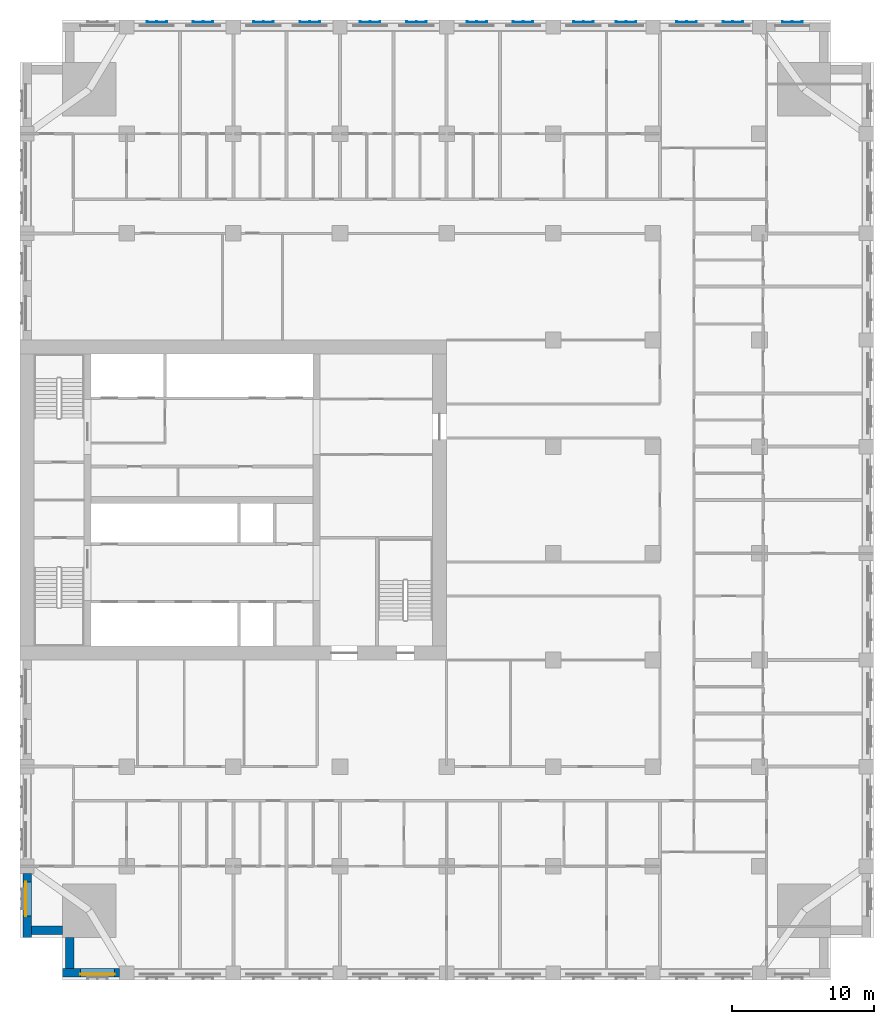
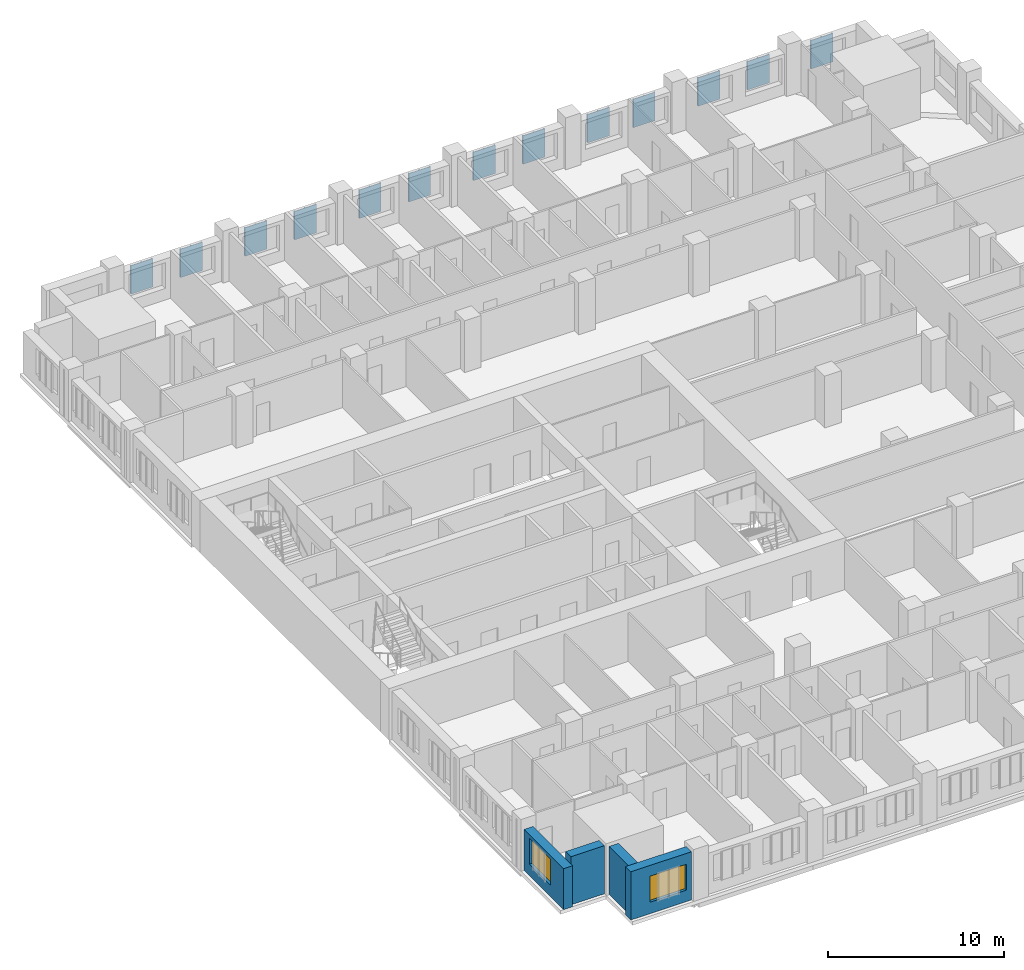
# One storey, part 3 of 15: 13 plates, 4 walls, 2 windows, 2 openings.
"""IFC4 building model written with IfcOpenShell, lengths in metres."""

import ifcopenshell
import ifcopenshell.guid

model = None  # the IFC model being written
_history = None  # IfcOwnerHistory: only IFC2X3 demands one
_inside = {}  # id of a spatial element -> (the spatial element, [elements in it])
_under = {}  # id of a project, library or spatial element -> (it, [spatial elements below it])
_declared = {}  # id of a project -> (the project, [libraries it declares])
_typed = {}  # id of a type object -> (the type object, [elements of that type])
_made_of = {}  # id of a material, layer set ... -> (it, [elements and type objects made of it])


def new_model(schema):
    """Start an empty IFC model of exactly this schema.

    Asked for "IFC4X3", IfcOpenShell would pick the latest addendum, in which some entities
    have other attributes; the version numbers below select the first issue.
    IFC2X3 requires an IfcOwnerHistory on every rooted entity: one is made here for all.
    """
    global model, _history
    if schema == "IFC4X3":
        model = ifcopenshell.file(schema_version=(4, 3, 0, 0))
    else:
        model = ifcopenshell.file(schema=schema)
    _inside.clear()
    _under.clear()
    _declared.clear()
    _typed.clear()
    _made_of.clear()
    _history = None
    if model.schema == "IFC2X3":
        org = make("IfcOrganization", Name="unknown")
        user = make(
            "IfcPersonAndOrganization",
            ThePerson=make("IfcPerson", FamilyName="unknown"),
            TheOrganization=org,
        )
        app = make(
            "IfcApplication",
            ApplicationDeveloper=org,
            Version="unknown",
            ApplicationFullName="unknown",
            ApplicationIdentifier="unknown",
        )
        _history = make(
            "IfcOwnerHistory",
            OwningUser=user,
            OwningApplication=app,
            ChangeAction="ADDED",
            CreationDate=0,
        )
    return model


def make(cls, **values):
    """One entity of the class cls with the attributes given. An attribute that is None is left unset."""
    return model.create_entity(
        cls, **{name: value for name, value in values.items() if value is not None}
    )


def rooted(cls, **values):
    """An entity with a GlobalId (a new one), such as an element, a storey or a relation."""
    return make(cls, GlobalId=ifcopenshell.guid.new(), OwnerHistory=_history, **values)


def si_unit(unit_type, name, prefix=None):
    """IfcSIUnit, for example si_unit("LENGTHUNIT", "METRE", prefix="MILLI")."""
    return make("IfcSIUnit", UnitType=unit_type, Prefix=prefix, Name=name)


def assignment(units):
    """IfcUnitAssignment: the units of a project."""
    return None if units is None else make("IfcUnitAssignment", Units=units)


def point(xyz):
    """IfcCartesianPoint."""
    return None if xyz is None else make("IfcCartesianPoint", Coordinates=xyz)


def direction(xyz):
    """IfcDirection."""
    return None if xyz is None else make("IfcDirection", DirectionRatios=xyz)


def frame(location, z_axis=None, x_axis=None):
    """IfcAxis2Placement3D, a coordinate frame: its origin and axes. An axis left out is left unset."""
    return make(
        "IfcAxis2Placement3D",
        Location=point(location),
        Axis=direction(z_axis),
        RefDirection=direction(x_axis),
    )


def frame_2d(location, x_axis=None):
    """IfcAxis2Placement2D, a coordinate frame in the plane: its origin and x axis."""
    return make(
        "IfcAxis2Placement2D", Location=point(location), RefDirection=direction(x_axis)
    )


def origin():
    """The frame at (0, 0, 0) with its axes left unset."""
    return frame((0.0, 0.0, 0.0))


def place(relative_to, where):
    """IfcLocalPlacement: puts the frame where relative to a parent placement (None: the world)."""
    return make(
        "IfcLocalPlacement", PlacementRelTo=relative_to, RelativePlacement=where
    )


def context(
    kind, dimensions, precision=None, world=None, true_north=None, identifier=None
):
    """IfcGeometricRepresentationContext, for example the 3D "Model" context."""
    return make(
        "IfcGeometricRepresentationContext",
        ContextIdentifier=identifier,
        ContextType=kind,
        CoordinateSpaceDimension=dimensions,
        Precision=precision,
        WorldCoordinateSystem=world,
        TrueNorth=true_north,
    )


def subcontext(parent, identifier, kind, view, scale=None):
    """IfcGeometricRepresentationSubContext, for example "Body" below "Model"."""
    return make(
        "IfcGeometricRepresentationSubContext",
        ContextIdentifier=identifier,
        ContextType=kind,
        ParentContext=parent,
        TargetScale=scale,
        TargetView=view,
    )


def project(units=None, contexts=None):
    """IfcProject with its units and contexts."""
    return rooted(
        "IfcProject",
        Name="project",
        RepresentationContexts=contexts,
        UnitsInContext=assignment(units),
    )


def spatial(cls, under=None, at=None, **own):
    """A site, building, storey or space (cls), placed at a placement, below another one or the project."""
    s = rooted(cls, ObjectPlacement=at, **own)
    if under is not None:
        _under.setdefault(under.id(), (under, []))[1].append(s)
    return s


def polyline(points):
    """IfcPolyline through the points."""
    return make("IfcPolyline", Points=[point(p) for p in points])


def profile(cls, at=None, kind="AREA", **sizes):
    """A parametric profile (cls). Its sizes go by their IFC names, for example OverallWidth=200.0."""
    return make(cls, ProfileType=kind, Position=at, **sizes)


def rectangle(**sizes):
    """IfcRectangleProfileDef."""
    return profile("IfcRectangleProfileDef", **sizes)


def outline(outer, holes=None, kind="AREA"):
    """IfcArbitraryClosedProfileDef: a profile drawn as a closed curve; with holes, ...WithVoids."""
    if holes is None:
        return make("IfcArbitraryClosedProfileDef", ProfileType=kind, OuterCurve=outer)
    return make(
        "IfcArbitraryProfileDefWithVoids",
        ProfileType=kind,
        OuterCurve=outer,
        InnerCurves=holes,
    )


def extrude(swept, where, along, depth):
    """IfcExtrudedAreaSolid: the profile swept, set in the frame where, extruded along a direction by depth."""
    return make(
        "IfcExtrudedAreaSolid",
        SweptArea=swept,
        Position=where,
        ExtrudedDirection=direction(along),
        Depth=depth,
    )


def shape(context_of_items, identifier, shape_type, items):
    """IfcShapeRepresentation: the items that make up one representation, for example the "Body"."""
    return make(
        "IfcShapeRepresentation",
        ContextOfItems=context_of_items,
        RepresentationIdentifier=identifier,
        RepresentationType=shape_type,
        Items=items,
    )


def material(Name=None, Category=None):
    """IfcMaterial."""
    return make("IfcMaterial", Name=Name, Category=Category)


def layer(
    of_material, thickness, ventilated=None, Name=None, Category=None, Priority=None
):
    """IfcMaterialLayer: one layer of a wall or slab, of a material (None: an air gap)."""
    return make(
        "IfcMaterialLayer",
        Material=of_material,
        LayerThickness=thickness,
        IsVentilated=ventilated,
        Name=Name,
        Category=Category,
        Priority=Priority,
    )


def layer_set(layers, Name=None):
    """IfcMaterialLayerSet."""
    return make("IfcMaterialLayerSet", MaterialLayers=layers, LayerSetName=Name)


def made_of(thing, what):
    """Note that an element or type object is made of a material, layer set ...; save() writes the relation."""
    if what is not None:
        _made_of.setdefault(what.id(), (what, []))[1].append(thing)
    return thing


def type_object(cls, material=None, **own):
    """A type object (cls), such as IfcWallType, which elements share."""
    return made_of(rooted(cls, **own), material)


def element(
    cls,
    number,
    at=None,
    inside=None,
    cuts=None,
    type_object=None,
    material=None,
    context=None,
    identifier="Body",
    shape_type=None,
    held_by="IfcProductDefinitionShape",
    body=None,
    shapes=None,
    **own,
):
    """One element of the class cls, such as IfcWall. Its Tag is "e" and its number.

    at: its placement. inside: the storey or other place that contains it. cuts: it is an
    opening in that element (IfcRelVoidsElement). A single representation is given by context,
    identifier, shape_type and body (its items); several are given by shapes. held_by: the class
    of the entity that holds the representations. save() writes the other relations.
    """
    e = rooted(cls, Tag="e%d" % number, ObjectPlacement=at, **own)
    if body is not None:
        shapes = [shape(context, identifier, shape_type, body)]
    if shapes is not None:
        e.Representation = make(held_by, Representations=shapes)
    if inside is not None:
        _inside.setdefault(inside.id(), (inside, []))[1].append(e)
    if cuts is not None:
        rooted(
            "IfcRelVoidsElement", RelatingBuildingElement=cuts, RelatedOpeningElement=e
        )
    if type_object is not None:
        _typed.setdefault(type_object.id(), (type_object, []))[1].append(e)
    return made_of(e, material)


def fill(opening, filler):
    """IfcRelFillsElement: the door or window that sits in an opening."""
    return rooted(
        "IfcRelFillsElement",
        RelatingOpeningElement=opening,
        RelatedBuildingElement=filler,
    )


def aggregate(whole, parts):
    """IfcRelAggregates: a whole, such as a stair, and the parts it consists of."""
    return rooted("IfcRelAggregates", RelatingObject=whole, RelatedObjects=parts)


def save(model, path):
    """Write the relations noted so far, then the file.

    IfcRelAggregates (storeys below a building ...), IfcRelContainedInSpatialStructure (elements
    in a storey), IfcRelDefinesByType, IfcRelAssociatesMaterial and IfcRelDeclares: one each for
    every whole, place, type object, material and project.
    """
    for whole, parts in _under.values():
        aggregate(whole, parts)
    for where, things in _inside.values():
        rooted(
            "IfcRelContainedInSpatialStructure",
            RelatedElements=things,
            RelatingStructure=where,
        )
    for kind, things in _typed.values():
        rooted("IfcRelDefinesByType", RelatedObjects=things, RelatingType=kind)
    for what, things in _made_of.values():
        rooted("IfcRelAssociatesMaterial", RelatedObjects=things, RelatingMaterial=what)
    for by, libraries in _declared.values():
        rooted("IfcRelDeclares", RelatingContext=by, RelatedDefinitions=libraries)
    model.write(path)


model = new_model("IFC4")

# Units and contexts
model_context = context("Model", 3, precision=1e-05, world=origin(), true_north=direction((0.0, 1.0)))
body_context = subcontext(model_context, "Body", "Model", "MODEL_VIEW")
ifc_project = project(units=[si_unit("LENGTHUNIT", "METRE"), si_unit("AREAUNIT", "SQUARE_METRE"), si_unit("VOLUMEUNIT", "CUBIC_METRE"), si_unit("PLANEANGLEUNIT", "RADIAN"), si_unit("MASSUNIT", "GRAM", prefix="KILO")], contexts=[model_context])

# Site, building, storey
site_placement = place(None, origin())
site = spatial("IfcSite", under=ifc_project, at=site_placement, CompositionType="ELEMENT")
building_placement = place(site_placement, origin())
building = spatial("IfcBuilding", under=site, at=building_placement, Name="Tamorin Gate", CompositionType="ELEMENT")
storey_placement = place(building_placement, frame((0.0, 0.0, 82.699951171875)))
storey = spatial("IfcBuildingStorey", under=building, at=storey_placement, Name="L19", CompositionType="ELEMENT", Elevation=82.699951171875)

# Plates
ifc_material_1 = material(Name="Perforated pale aluminium sheet", Category="aluminium")
ifc_layer_1 = layer(ifc_material_1, 0.0400390625)
ifc_layer_set_1 = layer_set([ifc_layer_1], Name="Pale metal solar screen 1440")
plate_type = type_object("IfcPlateType", Name="Pale metal solar screen 1440", PredefinedType="SHEET", material=ifc_layer_set_1)
plate_1_placement = place(storey_placement, frame((0.0, 0.0, 0.7099609375)))
element("IfcPlate", 1, at=plate_1_placement, inside=storey, type_object=plate_type, Name="Perforated solar screen", PredefinedType="SHEET", context=body_context, shape_type="SweptSolid", body=[
    extrude(outline(polyline([(85.02001953125, 104.840087890625), (85.02001953125, 104.800048828125), (84.9599609375, 104.800048828125), (84.330078125, 104.800048828125), (84.27001953125, 104.800048828125), (83.639892578125, 104.800048828125), (83.580078125, 104.800048828125), (83.580078125, 104.840087890625), (83.580078125, 104.89990234375), (83.639892578125, 104.89990234375), (83.639892578125, 104.840087890625), (84.27001953125, 104.840087890625), (84.27001953125, 104.89990234375), (84.330078125, 104.89990234375), (84.330078125, 104.840087890625), (84.9599609375, 104.840087890625), (84.9599609375, 104.89990234375), (85.02001953125, 104.89990234375), (85.02001953125, 104.840087890625)])), origin(), (0.0, 0.0, 1.0), 1.97998046875),
])
plate_2_placement = place(storey_placement, frame((0.0, 0.0, 0.7099609375)))
element("IfcPlate", 2, at=plate_2_placement, inside=storey, type_object=plate_type, Name="Perforated solar screen", PredefinedType="SHEET", context=body_context, shape_type="SweptSolid", body=[
    extrude(outline(polyline([(77.594970703125, 104.840087890625), (77.594970703125, 104.800048828125), (77.534912109375, 104.800048828125), (76.905029296875, 104.800048828125), (76.844970703125, 104.800048828125), (76.215087890625, 104.800048828125), (76.155029296875, 104.800048828125), (76.155029296875, 104.840087890625), (76.155029296875, 104.89990234375), (76.215087890625, 104.89990234375), (76.215087890625, 104.840087890625), (76.844970703125, 104.840087890625), (76.844970703125, 104.89990234375), (76.905029296875, 104.89990234375), (76.905029296875, 104.840087890625), (77.534912109375, 104.840087890625), (77.534912109375, 104.89990234375), (77.594970703125, 104.89990234375), (77.594970703125, 104.840087890625)])), origin(), (0.0, 0.0, 1.0), 1.97998046875),
])
plate_3_placement = place(storey_placement, frame((0.0, 0.0, 0.7099609375)))
element("IfcPlate", 3, at=plate_3_placement, inside=storey, type_object=plate_type, Name="Perforated solar screen", PredefinedType="SHEET", context=body_context, shape_type="SweptSolid", body=[
    extrude(outline(polyline([(80.844970703125, 104.840087890625), (80.844970703125, 104.800048828125), (80.784912109375, 104.800048828125), (80.155029296875, 104.800048828125), (80.094970703125, 104.800048828125), (79.465087890625, 104.800048828125), (79.405029296875, 104.800048828125), (79.405029296875, 104.800048828125), (79.405029296875, 104.840087890625), (79.405029296875, 104.840087890625), (79.405029296875, 104.89990234375), (79.465087890625, 104.89990234375), (79.465087890625, 104.840087890625), (80.094970703125, 104.840087890625), (80.094970703125, 104.89990234375), (80.155029296875, 104.89990234375), (80.155029296875, 104.840087890625), (80.784912109375, 104.840087890625), (80.784912109375, 104.89990234375), (80.844970703125, 104.89990234375), (80.844970703125, 104.840087890625)])), origin(), (0.0, 0.0, 1.0), 1.97998046875),
])
plate_4_placement = place(storey_placement, frame((0.0, 0.0, 0.7099609375)))
element("IfcPlate", 4, at=plate_4_placement, inside=storey, type_object=plate_type, Name="Perforated solar screen", PredefinedType="SHEET", context=body_context, shape_type="SweptSolid", body=[
    extrude(outline(polyline([(70.344970703125, 104.840087890625), (70.344970703125, 104.800048828125), (70.284912109375, 104.800048828125), (69.655029296875, 104.800048828125), (69.594970703125, 104.800048828125), (68.965087890625, 104.800048828125), (68.905029296875, 104.800048828125), (68.905029296875, 104.840087890625), (68.905029296875, 104.89990234375), (68.965087890625, 104.89990234375), (68.965087890625, 104.840087890625), (69.594970703125, 104.840087890625), (69.594970703125, 104.89990234375), (69.655029296875, 104.89990234375), (69.655029296875, 104.840087890625), (70.284912109375, 104.840087890625), (70.284912109375, 104.89990234375), (70.344970703125, 104.89990234375), (70.344970703125, 104.840087890625)])), origin(), (0.0, 0.0, 1.0), 1.97998046875),
])
plate_5_placement = place(storey_placement, frame((0.0, 0.0, 0.7099609375)))
element("IfcPlate", 5, at=plate_5_placement, inside=storey, type_object=plate_type, Name="Perforated solar screen", PredefinedType="SHEET", context=body_context, shape_type="SweptSolid", body=[
    extrude(outline(polyline([(73.344970703125, 104.840087890625), (73.344970703125, 104.800048828125), (73.284912109375, 104.800048828125), (72.655029296875, 104.800048828125), (72.594970703125, 104.800048828125), (71.965087890625, 104.800048828125), (71.905029296875, 104.800048828125), (71.905029296875, 104.840087890625), (71.905029296875, 104.89990234375), (71.965087890625, 104.89990234375), (71.965087890625, 104.840087890625), (72.594970703125, 104.840087890625), (72.594970703125, 104.89990234375), (72.655029296875, 104.89990234375), (72.655029296875, 104.840087890625), (73.284912109375, 104.840087890625), (73.284912109375, 104.89990234375), (73.344970703125, 104.89990234375), (73.344970703125, 104.840087890625)])), origin(), (0.0, 0.0, 1.0), 1.97998046875),
])
plate_6_placement = place(storey_placement, frame((0.0, 0.0, 0.7099609375)))
element("IfcPlate", 6, at=plate_6_placement, inside=storey, type_object=plate_type, Name="Perforated solar screen", PredefinedType="SHEET", context=body_context, shape_type="SweptSolid", body=[
    extrude(outline(polyline([(62.844970703125, 104.840087890625), (62.844970703125, 104.800048828125), (62.784912109375, 104.800048828125), (62.155029296875, 104.800048828125), (62.094970703125, 104.800048828125), (61.465087890625, 104.800048828125), (61.405029296875, 104.800048828125), (61.405029296875, 104.840087890625), (61.405029296875, 104.89990234375), (61.465087890625, 104.89990234375), (61.465087890625, 104.840087890625), (62.094970703125, 104.840087890625), (62.094970703125, 104.89990234375), (62.155029296875, 104.89990234375), (62.155029296875, 104.840087890625), (62.784912109375, 104.840087890625), (62.784912109375, 104.89990234375), (62.844970703125, 104.89990234375), (62.844970703125, 104.840087890625)])), origin(), (0.0, 0.0, 1.0), 1.97998046875),
])
plate_7_placement = place(storey_placement, frame((0.0, 0.0, 0.7099609375)))
element("IfcPlate", 7, at=plate_7_placement, inside=storey, type_object=plate_type, Name="Perforated solar screen", PredefinedType="SHEET", context=body_context, shape_type="SweptSolid", body=[
    extrude(outline(polyline([(66.094970703125, 104.840087890625), (66.094970703125, 104.800048828125), (66.034912109375, 104.800048828125), (65.405029296875, 104.800048828125), (65.344970703125, 104.800048828125), (64.715087890625, 104.800048828125), (64.655029296875, 104.800048828125), (64.655029296875, 104.840087890625), (64.655029296875, 104.89990234375), (64.715087890625, 104.89990234375), (64.715087890625, 104.840087890625), (65.344970703125, 104.840087890625), (65.344970703125, 104.89990234375), (65.405029296875, 104.89990234375), (65.405029296875, 104.840087890625), (66.034912109375, 104.840087890625), (66.034912109375, 104.89990234375), (66.094970703125, 104.89990234375), (66.094970703125, 104.840087890625)])), origin(), (0.0, 0.0, 1.0), 1.97998046875),
])
plate_8_placement = place(storey_placement, frame((0.0, 0.0, 0.7099609375)))
element("IfcPlate", 8, at=plate_8_placement, inside=storey, type_object=plate_type, Name="Perforated solar screen", PredefinedType="SHEET", context=body_context, shape_type="SweptSolid", body=[
    extrude(outline(polyline([(55.344970703125, 104.840087890625), (55.344970703125, 104.800048828125), (55.284912109375, 104.800048828125), (54.655029296875, 104.800048828125), (54.594970703125, 104.800048828125), (53.965087890625, 104.800048828125), (53.905029296875, 104.800048828125), (53.905029296875, 104.840087890625), (53.905029296875, 104.89990234375), (53.965087890625, 104.89990234375), (53.965087890625, 104.840087890625), (54.594970703125, 104.840087890625), (54.594970703125, 104.89990234375), (54.655029296875, 104.89990234375), (54.655029296875, 104.840087890625), (55.284912109375, 104.840087890625), (55.284912109375, 104.89990234375), (55.344970703125, 104.89990234375), (55.344970703125, 104.840087890625)])), origin(), (0.0, 0.0, 1.0), 1.97998046875),
])
plate_9_placement = place(storey_placement, frame((0.0, 0.0, 0.7099609375)))
element("IfcPlate", 9, at=plate_9_placement, inside=storey, type_object=plate_type, Name="Perforated solar screen", PredefinedType="SHEET", context=body_context, shape_type="SweptSolid", body=[
    extrude(outline(polyline([(58.594970703125, 104.840087890625), (58.594970703125, 104.800048828125), (58.534912109375, 104.800048828125), (57.905029296875, 104.800048828125), (57.844970703125, 104.800048828125), (57.215087890625, 104.800048828125), (57.155029296875, 104.800048828125), (57.155029296875, 104.840087890625), (57.155029296875, 104.89990234375), (57.215087890625, 104.89990234375), (57.215087890625, 104.840087890625), (57.844970703125, 104.840087890625), (57.844970703125, 104.89990234375), (57.905029296875, 104.89990234375), (57.905029296875, 104.840087890625), (58.534912109375, 104.840087890625), (58.534912109375, 104.89990234375), (58.594970703125, 104.89990234375), (58.594970703125, 104.840087890625)])), origin(), (0.0, 0.0, 1.0), 1.97998046875),
])
plate_10_placement = place(storey_placement, frame((0.0, 0.0, 0.7099609375)))
element("IfcPlate", 10, at=plate_10_placement, inside=storey, type_object=plate_type, Name="Perforated solar screen", PredefinedType="SHEET", context=body_context, shape_type="SweptSolid", body=[
    extrude(outline(polyline([(47.844970703125, 104.840087890625), (47.844970703125, 104.800048828125), (47.784912109375, 104.800048828125), (47.155029296875, 104.800048828125), (47.094970703125, 104.800048828125), (46.465087890625, 104.800048828125), (46.405029296875, 104.800048828125), (46.405029296875, 104.840087890625), (46.405029296875, 104.89990234375), (46.465087890625, 104.89990234375), (46.465087890625, 104.840087890625), (47.094970703125, 104.840087890625), (47.094970703125, 104.89990234375), (47.155029296875, 104.89990234375), (47.155029296875, 104.840087890625), (47.784912109375, 104.840087890625), (47.784912109375, 104.89990234375), (47.844970703125, 104.89990234375), (47.844970703125, 104.840087890625)])), origin(), (0.0, 0.0, 1.0), 1.97998046875),
])
plate_11_placement = place(storey_placement, frame((0.0, 0.0, 0.7099609375)))
element("IfcPlate", 11, at=plate_11_placement, inside=storey, type_object=plate_type, Name="Perforated solar screen", PredefinedType="SHEET", context=body_context, shape_type="SweptSolid", body=[
    extrude(outline(polyline([(51.094970703125, 104.840087890625), (51.094970703125, 104.800048828125), (51.034912109375, 104.800048828125), (50.405029296875, 104.800048828125), (50.344970703125, 104.800048828125), (49.715087890625, 104.800048828125), (49.655029296875, 104.800048828125), (49.655029296875, 104.840087890625), (49.655029296875, 104.89990234375), (49.715087890625, 104.89990234375), (49.715087890625, 104.840087890625), (50.344970703125, 104.840087890625), (50.344970703125, 104.89990234375), (50.405029296875, 104.89990234375), (50.405029296875, 104.840087890625), (51.034912109375, 104.840087890625), (51.034912109375, 104.89990234375), (51.094970703125, 104.89990234375), (51.094970703125, 104.840087890625)])), origin(), (0.0, 0.0, 1.0), 1.97998046875),
])
plate_12_placement = place(storey_placement, frame((0.0, 0.0, 0.7099609375)))
element("IfcPlate", 12, at=plate_12_placement, inside=storey, type_object=plate_type, Name="Perforated solar screen", PredefinedType="SHEET", context=body_context, shape_type="SweptSolid", body=[
    extrude(outline(polyline([(40.344970703125, 104.840087890625), (40.344970703125, 104.800048828125), (40.284912109375, 104.800048828125), (39.655029296875, 104.800048828125), (39.594970703125, 104.800048828125), (38.965087890625, 104.800048828125), (38.905029296875, 104.800048828125), (38.905029296875, 104.840087890625), (38.905029296875, 104.89990234375), (38.965087890625, 104.89990234375), (38.965087890625, 104.840087890625), (39.594970703125, 104.840087890625), (39.594970703125, 104.89990234375), (39.655029296875, 104.89990234375), (39.655029296875, 104.840087890625), (40.284912109375, 104.840087890625), (40.284912109375, 104.89990234375), (40.344970703125, 104.89990234375), (40.344970703125, 104.840087890625)])), origin(), (0.0, 0.0, 1.0), 1.97998046875),
])
plate_13_placement = place(storey_placement, frame((0.0, 0.0, 0.7099609375)))
element("IfcPlate", 13, at=plate_13_placement, inside=storey, type_object=plate_type, Name="Perforated solar screen", PredefinedType="SHEET", context=body_context, shape_type="SweptSolid", body=[
    extrude(outline(polyline([(43.594970703125, 104.840087890625), (43.594970703125, 104.800048828125), (43.534912109375, 104.800048828125), (42.905029296875, 104.800048828125), (42.844970703125, 104.800048828125), (42.215087890625, 104.800048828125), (42.155029296875, 104.800048828125), (42.155029296875, 104.840087890625), (42.155029296875, 104.89990234375), (42.215087890625, 104.89990234375), (42.215087890625, 104.840087890625), (42.844970703125, 104.840087890625), (42.844970703125, 104.89990234375), (42.905029296875, 104.89990234375), (42.905029296875, 104.840087890625), (43.534912109375, 104.840087890625), (43.534912109375, 104.89990234375), (43.594970703125, 104.89990234375), (43.594970703125, 104.840087890625)])), origin(), (0.0, 0.0, 1.0), 1.97998046875),
])

# Wall, opening, window
ifc_material_2 = material(Name="Precast concrete C40/50", Category="concrete")
ifc_layer_2 = layer(ifc_material_2, 0.60009765625)
ifc_layer_set_2 = layer_set([ifc_layer_2], Name="Precast concrete C40/50")
wall_type = type_object("IfcWallType", Name="Board-marked concrete facade panel 600", PredefinedType="SOLIDWALL", material=ifc_layer_set_2)
wall_1_placement = place(storey_placement, frame((33.0, 38.0, 0.0), z_axis=(0.0, 0.0, 1.0), x_axis=(1.0, 0.0, 0.0)))
wall_1 = element("IfcWall", 14, at=wall_1_placement, inside=storey, type_object=wall_type, Name="Facade panel", PredefinedType="SOLIDWALL", context=body_context, shape_type="SweptSolid", body=[
    extrude(rectangle(XDim=4.0, YDim=0.60009765625, at=frame_2d((2.0, 0.0))), origin(), (0.0, 0.0, 1.0), 3.35009765625),
])
opening_1_placement = place(wall_1_placement, frame((1.25, 0.0, 0.800048828125)))
opening_1 = element("IfcOpeningElement", 15, at=opening_1_placement, cuts=wall_1, Name="Opening WN1", PredefinedType="OPENING", context=body_context, shape_type="SweptSolid", body=[
    extrude(rectangle(XDim=2.39990234375, YDim=1.800048828125, at=frame_2d((1.199951171875, 0.89990234375))), frame((0.0, 0.31005859375, 0.0), z_axis=(0.0, -1.0, 0.0), x_axis=(1.0, 0.0, 0.0)), (0.0, 0.0, 1.0), 0.6201171875),
])
ifc_material_3 = material(Name="Clear glass in aluminium frame", Category="aluminium")
window_type = type_object("IfcWindowType", Name="Deep-set window 2400x1800", PartitioningType="SINGLE_PANEL", PredefinedType="WINDOW", material=ifc_material_3)
window_1_placement = place(opening_1_placement, origin())
window_1 = element("IfcWindow", 16, at=window_1_placement, inside=storey, type_object=window_type, Name="Deep-set window", OverallHeight=1.800048828125, OverallWidth=2.39990234375, PartitioningType="SINGLE_PANEL", PredefinedType="WINDOW", context=body_context, shape_type="SweptSolid", body=[
    extrude(rectangle(XDim=2.39990234375, YDim=1.800048828125, at=frame_2d((1.199951171875, 0.89990234375))), frame((0.0, -0.070068359375, 0.0), z_axis=(0.0, -1.0, 0.0), x_axis=(1.0, 0.0, 0.0)), (0.0, 0.0, 1.0), 0.06005859375),
])
fill(opening_1, window_1)

wall_2_placement = place(storey_placement, frame((30.5, 45.0, 0.0), z_axis=(0.0, 0.0, 1.0), x_axis=(0.0, -1.0, 0.0)))
wall_2 = element("IfcWall", 17, at=wall_2_placement, inside=storey, type_object=wall_type, Name="Facade panel", PredefinedType="SOLIDWALL", context=body_context, shape_type="SweptSolid", body=[
    extrude(rectangle(XDim=4.5, YDim=0.60009765625, at=frame_2d((2.25, 0.0))), origin(), (0.0, 0.0, 1.0), 2.85009765625),
])
opening_2_placement = place(wall_2_placement, frame((0.60009765625, 0.0, 0.800048828125)))
opening_2 = element("IfcOpeningElement", 18, at=opening_2_placement, cuts=wall_2, Name="Opening WN1", PredefinedType="OPENING", context=body_context, shape_type="SweptSolid", body=[
    extrude(rectangle(XDim=2.39990234375, YDim=1.800048828125, at=frame_2d((1.199951171875, 0.89990234375))), frame((0.0, 0.31005859375, 0.0), z_axis=(0.0, -1.0, 0.0), x_axis=(1.0, 0.0, 0.0)), (0.0, 0.0, 1.0), 0.6201171875),
])
window_2_placement = place(opening_2_placement, origin())
window_2 = element("IfcWindow", 19, at=window_2_placement, inside=storey, type_object=window_type, Name="Deep-set window", OverallHeight=1.800048828125, OverallWidth=2.39990234375, PartitioningType="SINGLE_PANEL", PredefinedType="WINDOW", context=body_context, shape_type="SweptSolid", body=[
    extrude(rectangle(XDim=2.39990234375, YDim=1.800048828125, at=frame_2d((1.199951171875, 0.89990234375))), frame((0.0, -0.070068359375, 0.0), z_axis=(0.0, -1.0, 0.0), x_axis=(1.0, 0.0, 0.0)), (0.0, 0.0, 1.0), 0.06005859375),
])
fill(opening_2, window_2)

# Walls
for number, where, z_axis, x_axis, name in (
    (20, (30.800048828125, 41.0, 0.0), (0.0, 0.0, 1.0), (1.0, 0.0, 0.0), "Facade panel"),
    (21, (33.5, 40.5, 0.0), (0.0, 0.0, 1.0), (0.0, -1.0, 0.0), "Facade panel"),
):
    element("IfcWall", number, at=place(storey_placement, frame(where, z_axis=z_axis, x_axis=x_axis)), inside=storey, type_object=wall_type, Name=name, PredefinedType="SOLIDWALL", context=body_context, shape_type="SweptSolid", body=[
        extrude(rectangle(XDim=2.199951171875, YDim=0.60009765625, at=frame_2d((1.10009765625, 0.0))), origin(), (0.0, 0.0, 1.0), 3.35009765625),
    ])

save(model, "model.ifc")
